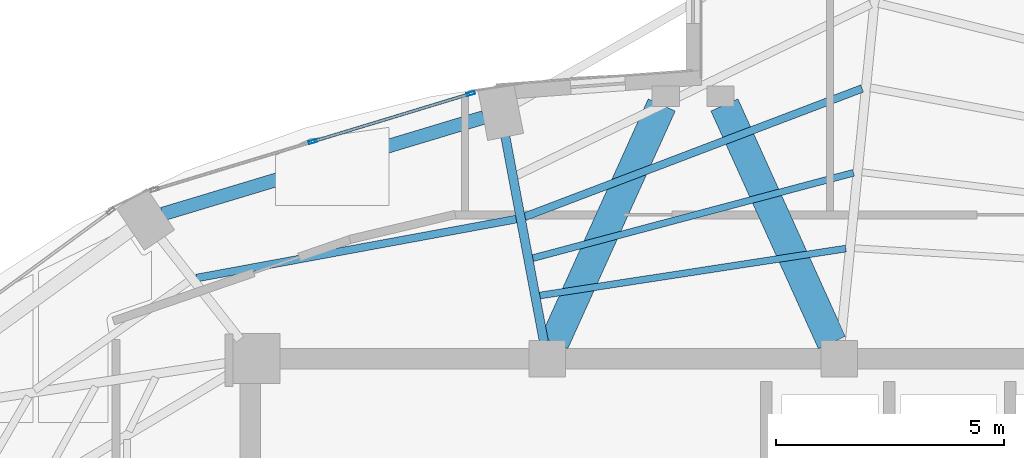
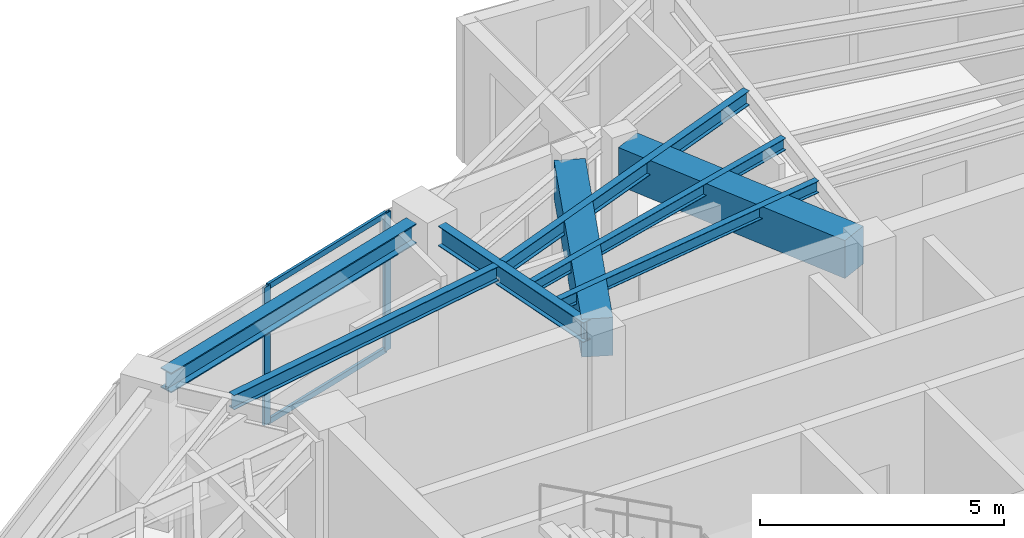
# One storey, part 11 of 22: 8 beams, 4 members, 1 element without a shape of its own.
"""IFC4 building model written with IfcOpenShell, lengths in metres."""

from ifc_helpers import new_model, si_unit, direction, frame, origin, origin_2d, place, context, subcontext, project, spatial, rectangle, hollow_rectangle, i_section, extrude, material, layer, layer_set, material_profile, profile_set, type_object, element, aggregate, save


model = new_model("IFC4")

# Units and contexts
model_context = context("Model", 3, precision=1e-05, world=origin(), true_north=direction((0.0, 1.0)))
body_context = subcontext(model_context, "Body", "Model", "MODEL_VIEW")
ifc_project = project(units=[si_unit("LENGTHUNIT", "METRE"), si_unit("AREAUNIT", "SQUARE_METRE"), si_unit("VOLUMEUNIT", "CUBIC_METRE"), si_unit("PLANEANGLEUNIT", "RADIAN"), si_unit("MASSUNIT", "GRAM", prefix="KILO")], contexts=[model_context])

# Site, building, storey
site_placement = place(None, origin())
site = spatial("IfcSite", under=ifc_project, at=site_placement, CompositionType="ELEMENT")
building_placement = place(site_placement, origin())
building = spatial("IfcBuilding", under=site, at=building_placement, Name="Lazwardi Medical Tower", CompositionType="ELEMENT")
storey_placement = place(building_placement, frame((0.0, 0.0, 238.60791015625)))
storey = spatial("IfcBuildingStorey", under=building, at=storey_placement, Name="L62", CompositionType="ELEMENT", Elevation=238.60791015625)

# Beams
ifc_material_1 = material(Name="Concrete C60/75", Category="concrete")
ifc_material_profile_1 = material_profile(ifc_material_1, rectangle(XDim=0.64990234375, YDim=0.949951171875, at=origin_2d()), Name="RC 650x950")
ifc_profile_set_1 = profile_set([ifc_material_profile_1], Name="Concrete C60/75")
beam_type_1 = type_object("IfcBeamType", Name="BM-CB-RC2", PredefinedType="LINTEL", material=ifc_profile_set_1)
for number, where, z_axis, x_axis, name in (
    (1, (32.95849609375, 35.95068359375, 2.97314453125), (0.412019279944, 0.911175127489, 0.0), (-0.911175127489, 0.412019279944, 0.0), "Core coupling lintel CB-02 PL1 L62"),
    (2, (39.04150390625, 35.95068359375, 2.97314453125), (-0.412019279944, 0.911175127489, 0.0), (-0.911175127489, -0.412019279944, 0.0), "Core coupling lintel CB-02 PL2 L62"),
):
    element("IfcBeam", number, at=place(storey_placement, frame(where, z_axis=z_axis, x_axis=x_axis)), inside=storey, type_object=beam_type_1, Name=name, PredefinedType="LINTEL", context=body_context, shape_type="SweptSolid", body=[
        extrude(rectangle(XDim=0.64990234375, YDim=0.949951171875, at=origin_2d()), origin(), (0.0, 0.0, 1.0), 5.7158203125),
    ])
ifc_material_2 = material(Name="Steel S355", Category="steel")
ifc_material_profile_2 = material_profile(ifc_material_2, i_section(OverallWidth=0.300048828125, OverallDepth=0.5, WebThickness=0.014404296875, FlangeThickness=0.028076171875, at=origin_2d()), Name="HEB 500")
ifc_profile_set_2 = profile_set([ifc_material_profile_2], Name="Steel S355")
beam_type_2 = type_object("IfcBeamType", Name="BM-RB-Z4", PredefinedType="BEAM", material=ifc_profile_set_2)
beam_1_placement = place(storey_placement, frame((31.41259765625, 40.885986328125, 3.197998046875), z_axis=(-0.957544311906, -0.288286126506, 0.0), x_axis=(0.288286126506, -0.957544311906, 0.0)))
element("IfcBeam", 3, at=beam_1_placement, inside=storey, type_object=beam_type_2, Name="Ring beam RB-05 B09 L62", PredefinedType="BEAM", context=body_context, shape_type="SweptSolid", body=[
    extrude(i_section(OverallWidth=0.300048828125, OverallDepth=0.5, WebThickness=0.014404296875, FlangeThickness=0.028076171875, at=origin_2d()), origin(), (0.0, 0.0, 1.0), 7.3515625),
])
ifc_material_profile_3 = material_profile(ifc_material_2, i_section(OverallWidth=0.199951171875, OverallDepth=0.5, WebThickness=0.01025390625, FlangeThickness=0.01611328125, at=origin_2d()), Name="IPE 500")
ifc_profile_set_3 = profile_set([ifc_material_profile_3], Name="Steel S355")
beam_type_3 = type_object("IfcBeamType", Name="BM-RG-W3", PredefinedType="BEAM", material=ifc_profile_set_3)
beam_2_placement = place(storey_placement, frame((31.884765625, 40.472412109375, 3.197998046875), z_axis=(0.184633463507, -0.982807450192, 0.0), x_axis=(0.982807450192, 0.184633463507, 0.0)))
element("IfcBeam", 4, at=beam_2_placement, inside=storey, type_object=beam_type_3, Name="Radial girder RG-04 R09 L62", PredefinedType="BEAM", context=body_context, shape_type="SweptSolid", body=[
    extrude(i_section(OverallWidth=0.199951171875, OverallDepth=0.5, WebThickness=0.01025390625, FlangeThickness=0.01611328125, at=origin_2d()), origin(), (0.0, 0.0, 1.0), 4.572509765625),
])
ifc_material_profile_4 = material_profile(ifc_material_2, i_section(OverallWidth=0.169921875, OverallDepth=0.360107421875, WebThickness=0.008056640625, FlangeThickness=0.0126953125, at=origin_2d()), Name="IPE 360")
ifc_profile_set_4 = profile_set([ifc_material_profile_4], Name="Steel S355")
beam_type_4 = type_object("IfcBeamType", Name="BM-SJ-02", PredefinedType="JOIST", material=ifc_profile_set_4)
beam_3_placement = place(storey_placement, frame((39.703125, 41.51904296875, 3.26806640625), z_axis=(-0.934714470268, -0.355399576633, 0.0), x_axis=(0.355399576633, -0.934714470268, 0.0)))
element("IfcBeam", 5, at=beam_3_placement, inside=storey, type_object=beam_type_4, Name="Secondary joist SJ-02 R2 B08 L62", PredefinedType="JOIST", context=body_context, shape_type="SweptSolid", body=[
    extrude(i_section(OverallWidth=0.169921875, OverallDepth=0.360107421875, WebThickness=0.008056640625, FlangeThickness=0.0126953125, at=origin_2d()), origin(), (0.0, 0.0, 1.0), 7.908203125),
])
beam_4_placement = place(storey_placement, frame((32.12890625, 38.65771484375, 3.26806640625), z_axis=(-0.983427965623, -0.181299300688, 0.0), x_axis=(0.181299300688, -0.983427965623, 0.0)))
element("IfcBeam", 6, at=beam_4_placement, inside=storey, type_object=beam_type_4, Name="Secondary joist SJ-02 R2 B09 L62", PredefinedType="JOIST", context=body_context, shape_type="SweptSolid", body=[
    extrude(i_section(OverallWidth=0.169921875, OverallDepth=0.360107421875, WebThickness=0.008056640625, FlangeThickness=0.0126953125, at=origin_2d()), origin(), (0.0, 0.0, 1.0), 7.127685546875),
])
ifc_material_profile_5 = material_profile(ifc_material_2, i_section(OverallWidth=0.14990234375, OverallDepth=0.300048828125, WebThickness=0.007080078125, FlangeThickness=0.0107421875, at=origin_2d()), Name="IPE 300")
ifc_profile_set_5 = profile_set([ifc_material_profile_5], Name="Steel S355")
beam_type_5 = type_object("IfcBeamType", Name="BM-SJ-03", PredefinedType="JOIST", material=ifc_profile_set_5)
beam_5_placement = place(storey_placement, frame((39.515380859375, 39.671875, 3.298095703125), z_axis=(-0.966369007826, -0.257159368316, 0.0), x_axis=(0.257159368316, -0.966369007826, 0.0)))
element("IfcBeam", 7, at=beam_5_placement, inside=storey, type_object=beam_type_5, Name="Secondary joist SJ-03 R3 B08 L62", PredefinedType="JOIST", context=body_context, shape_type="SweptSolid", body=[
    extrude(i_section(OverallWidth=0.14990234375, OverallDepth=0.300048828125, WebThickness=0.007080078125, FlangeThickness=0.0107421875, at=origin_2d()), origin(), (0.0, 0.0, 1.0), 7.27685546875),
])
beam_6_placement = place(storey_placement, frame((39.347412109375, 38.010986328125, 3.298095703125), z_axis=(-0.988433562862, -0.151654514629, 0.0), x_axis=(0.151654514629, -0.988433562862, 0.0)))
element("IfcBeam", 8, at=beam_6_placement, inside=storey, type_object=beam_type_5, Name="Secondary joist SJ-03 R4 B08 L62", PredefinedType="JOIST", context=body_context, shape_type="SweptSolid", body=[
    extrude(i_section(OverallWidth=0.14990234375, OverallDepth=0.300048828125, WebThickness=0.007080078125, FlangeThickness=0.0107421875, at=origin_2d()), origin(), (0.0, 0.0, 1.0), 6.788818359375),
])

# Curtain wall, members
ifc_material_3 = material(Name="Anodised bronze aluminium and solar control glazing", Category="aluminium")
ifc_layer = layer(ifc_material_3, 0.18994140625)
ifc_layer_set = layer_set([ifc_layer], Name="Anodised bronze aluminium and solar control glazing")
curtain_wall_type = type_object("IfcCurtainWallType", Name="CW-SYS-04", PredefinedType="NOTDEFINED", material=ifc_layer_set)
curtain_wall_placement = place(storey_placement, origin())
curtain_wall = element("IfcCurtainWall", 9, at=curtain_wall_placement, inside=storey, type_object=curtain_wall_type, Name="L62 Unitised bronze curtain wall CW-04", PredefinedType="NOTDEFINED")
ifc_material_4 = material(Name="Anodised bronze aluminium", Category="aluminium")
ifc_material_profile_6 = material_profile(ifc_material_4, hollow_rectangle(XDim=0.06494140625, YDim=0.179931640625, WallThickness=0.00390625, at=origin_2d()), Name="ALU-MULLION 180x65x4")
ifc_profile_set_6 = profile_set([ifc_material_profile_6], Name="Anodised bronze aluminium")
member_type_1 = type_object("IfcMemberType", Name="CW-MUL-03", PredefinedType="MULLION", material=ifc_profile_set_6)
member_1_placement = place(storey_placement, frame((31.126953125, 41.406982421875, 0.0), z_axis=(0.0, 0.0, 1.0), x_axis=(0.290581889515, -0.956850126972, 0.0)))
member_1 = element("IfcMember", 10, at=member_1_placement, type_object=member_type_1, Name="CW-04 mullion 1", PredefinedType="MULLION", context=body_context, shape_type="SweptSolid", body=[
    extrude(hollow_rectangle(XDim=0.06494140625, YDim=0.179931640625, WallThickness=0.00390625, at=origin_2d()), origin(), (0.0, 0.0, 1.0), 3.447998046875),
])
member_2_placement = place(storey_placement, frame((27.66357421875, 40.355224609375, 0.0), z_axis=(0.0, 0.0, 1.0), x_axis=(0.290581889515, -0.956850126972, 0.0)))
member_2 = element("IfcMember", 11, at=member_2_placement, type_object=member_type_1, Name="CW-04 mullion 2", PredefinedType="MULLION", context=body_context, shape_type="SweptSolid", body=[
    extrude(hollow_rectangle(XDim=0.06494140625, YDim=0.179931640625, WallThickness=0.00390625, at=origin_2d()), origin(), (0.0, 0.0, 1.0), 3.447998046875),
])
ifc_material_profile_7 = material_profile(ifc_material_4, hollow_rectangle(XDim=0.06494140625, YDim=0.139892578125, WallThickness=0.00341796875, at=origin_2d()), Name="ALU-TRANSOM 140x65x3.5")
ifc_profile_set_7 = profile_set([ifc_material_profile_7], Name="Anodised bronze aluminium")
member_type_2 = type_object("IfcMemberType", Name="CW-TRN-03", PredefinedType="USERDEFINED", material=ifc_profile_set_7)
member_3_placement = place(storey_placement, frame((31.095703125, 41.397705078125, 0.032470703125), z_axis=(-0.956843409009, -0.290604010015, 0.0), x_axis=(0.290604010015, -0.956843409009, 0.0)))
member_3 = element("IfcMember", 12, at=member_3_placement, type_object=member_type_2, Name="CW-04 transom 1.1", ObjectType="TRANSOM", PredefinedType="USERDEFINED", context=body_context, shape_type="SweptSolid", body=[
    extrude(hollow_rectangle(XDim=0.06494140625, YDim=0.139892578125, WallThickness=0.00341796875, at=origin_2d()), origin(), (0.0, 0.0, 1.0), 3.554443359375),
])
member_4_placement = place(storey_placement, frame((31.095703125, 41.397705078125, 3.41552734375), z_axis=(-0.956843409009, -0.290604010015, 0.0), x_axis=(0.290604010015, -0.956843409009, 0.0)))
member_4 = element("IfcMember", 13, at=member_4_placement, type_object=member_type_2, Name="CW-04 transom 1.2", ObjectType="TRANSOM", PredefinedType="USERDEFINED", context=body_context, shape_type="SweptSolid", body=[
    extrude(hollow_rectangle(XDim=0.06494140625, YDim=0.139892578125, WallThickness=0.00341796875, at=origin_2d()), origin(), (0.0, 0.0, 1.0), 3.554443359375),
])
aggregate(curtain_wall, [member_1, member_2, member_3, member_4])

save(model, "model.ifc")
